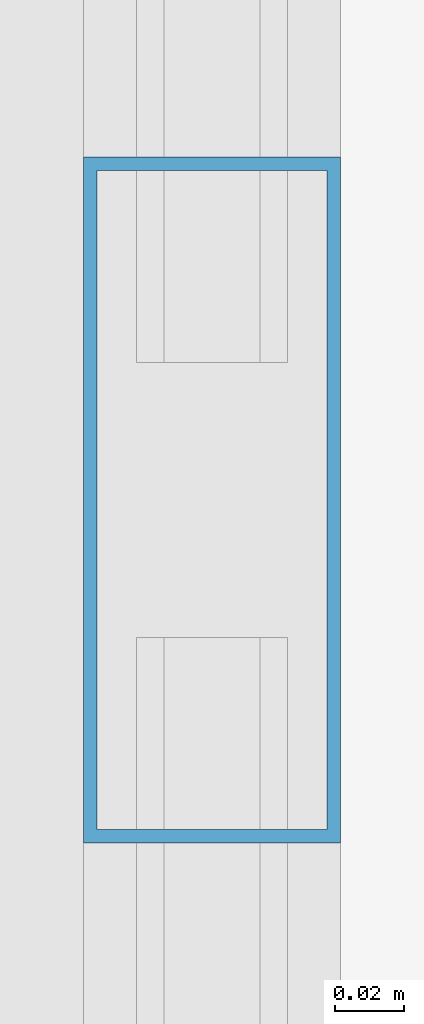
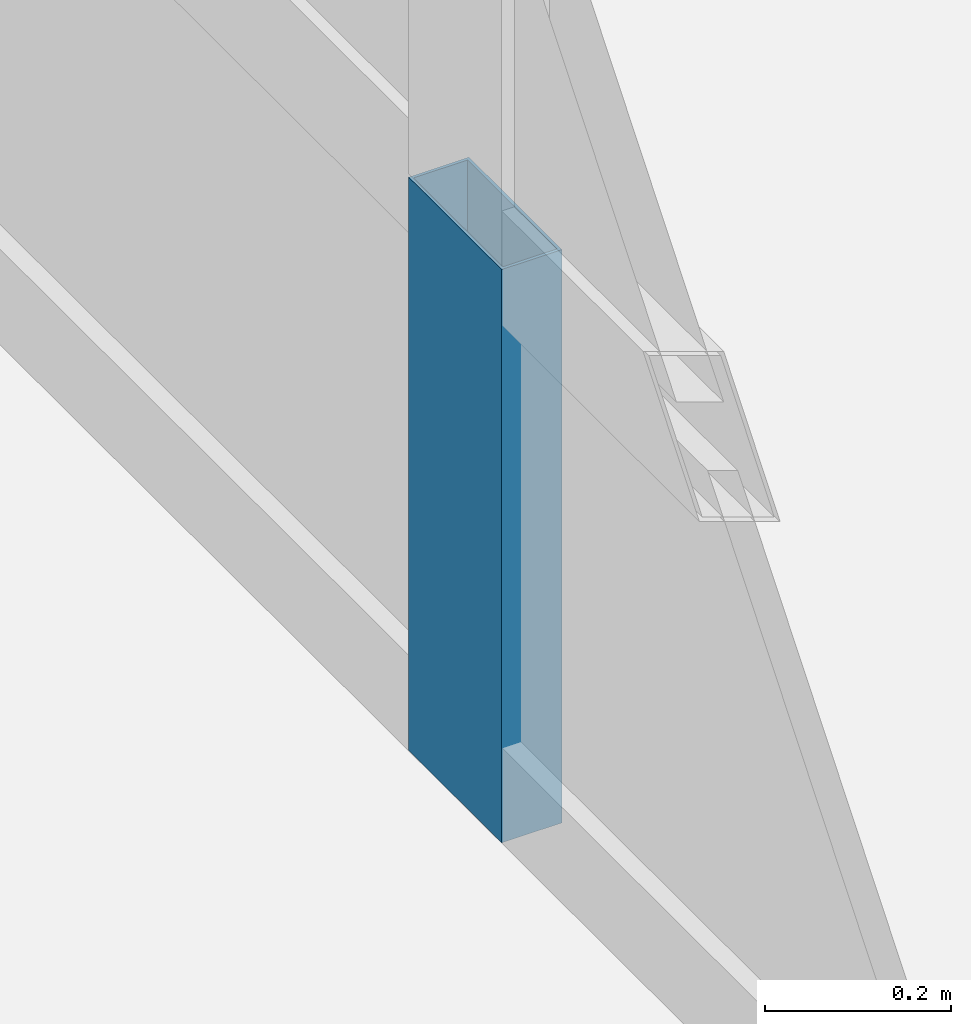
# One storey, part 22 of 35: 1 member, 1 element without a shape of its own.
"""IFC4 building model written with IfcOpenShell, lengths in metres."""

from ifc_helpers import new_model, si_unit, direction, frame, origin, origin_2d, place, context, subcontext, project, spatial, hollow_rectangle, extrude, source, transform, mapped, material, layer, layer_set, material_profile, profile_set, type_object, element, aggregate, save


model = new_model("IFC4")

# Units and contexts
model_context = context("Model", 3, precision=1e-05, world=origin(), true_north=direction((0.0, 1.0)))
body_context = subcontext(model_context, "Body", "Model", "MODEL_VIEW")
ifc_project = project(units=[si_unit("LENGTHUNIT", "METRE"), si_unit("AREAUNIT", "SQUARE_METRE"), si_unit("VOLUMEUNIT", "CUBIC_METRE"), si_unit("PLANEANGLEUNIT", "RADIAN"), si_unit("MASSUNIT", "GRAM", prefix="KILO"), si_unit("THERMODYNAMICTEMPERATUREUNIT", "KELVIN"), si_unit("POWERUNIT", "WATT")], contexts=[model_context])

# Site, building, storey
site_placement = place(None, origin())
site = spatial("IfcSite", under=ifc_project, at=site_placement, CompositionType="ELEMENT")
building_placement = place(site_placement, origin())
building = spatial("IfcBuilding", under=site, at=building_placement, Name="Yuzanri Waterfront Tower", CompositionType="ELEMENT")
storey_placement = place(building_placement, frame((0.0, 0.0, 332.199951171875)))
storey = spatial("IfcBuildingStorey", under=building, at=storey_placement, Name="L89", CompositionType="ELEMENT", Elevation=332.199951171875)

# Curtain wall, member
ifc_material_1 = material(Name="Anodized Architectural Bronze", Category="metal")
ifc_layer = layer(ifc_material_1, 0.159912109375)
ifc_layer_set = layer_set([ifc_layer], Name="Anodized Architectural Bronze")
curtain_wall_type = type_object("IfcCurtainWallType", Name="Anodized Bronze High-Rise Penthouse High-Wind Unitized Curtain Wall 6900", PredefinedType="NOTDEFINED", material=ifc_layer_set)
curtain_wall_placement = place(storey_placement, origin())
curtain_wall = element("IfcCurtainWall", 1, at=curtain_wall_placement, inside=storey, type_object=curtain_wall_type, Name="L89 Curtain Wall CW-L89-WL", PredefinedType="NOTDEFINED")
ifc_material_2 = material(Name="Anodized Architectural Bronze", Category="metal")
ifc_material_profile = material_profile(ifc_material_2, hollow_rectangle(XDim=0.074951171875, YDim=0.199951171875, WallThickness=0.00390625, at=origin_2d()), Name="CWM 75x200")
ifc_profile_set = profile_set([ifc_material_profile], Name="Anodized Architectural Bronze")
member_type = type_object("IfcMemberType", Name="Anodized Bronze Primary Curtain-Wall Mullion 75x200", PredefinedType="MULLION", material=ifc_profile_set)
shared_shape = source(origin(), body_context, "Body", "SweptSolid", [
    extrude(hollow_rectangle(XDim=0.074951171875, YDim=0.199951171875, WallThickness=0.00390625, at=origin_2d()), origin(), (0.0, 0.0, 1.0), 0.751953125),
])
member_placement = place(storey_placement, frame((18.050048828125, 19.75, 0.0), z_axis=(0.0, 0.0, 1.0), x_axis=(1.0, 0.0, 0.0)))
member = element("IfcMember", 2, at=member_placement, type_object=member_type, Name="CW-L89-WL Lower Mullion 01", PredefinedType="MULLION", context=body_context, shape_type="MappedRepresentation", body=[
    mapped(shared_shape, transform((0.0, 0.0, 0.0), scale=1.0)),
])
aggregate(curtain_wall, [member])

save(model, "model.ifc")
